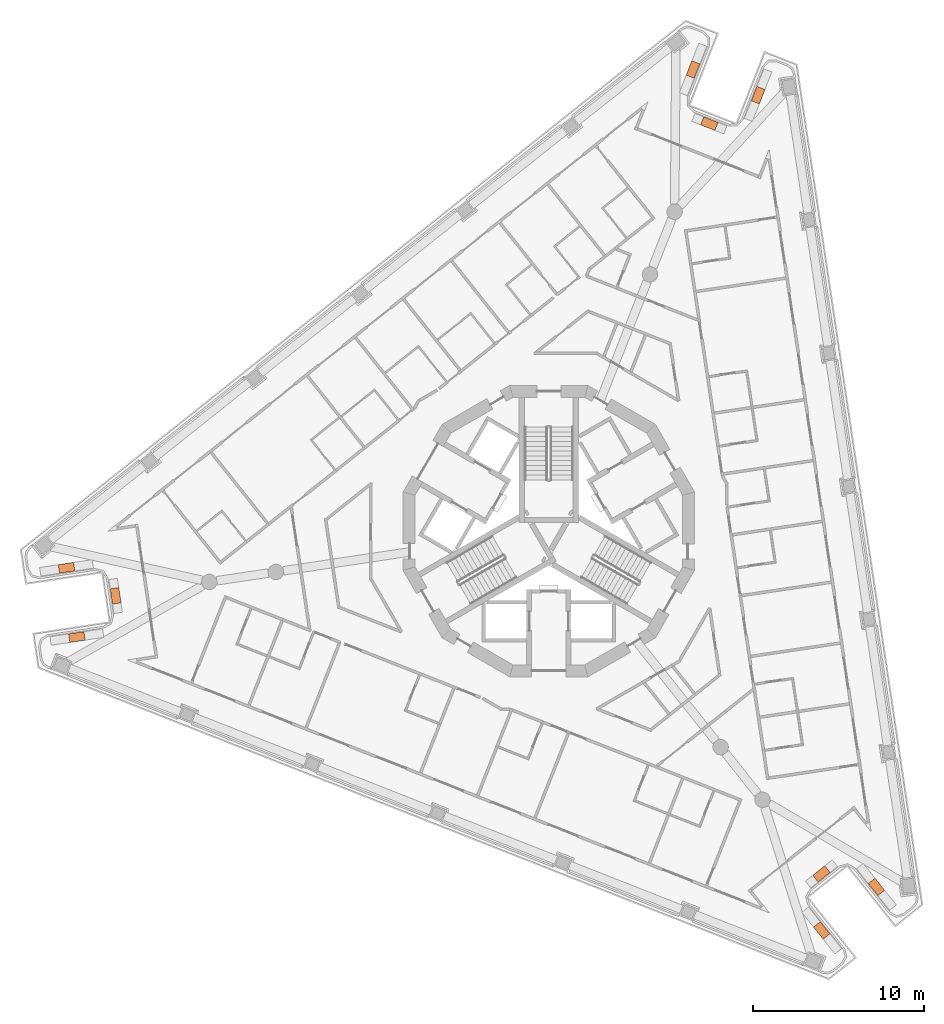
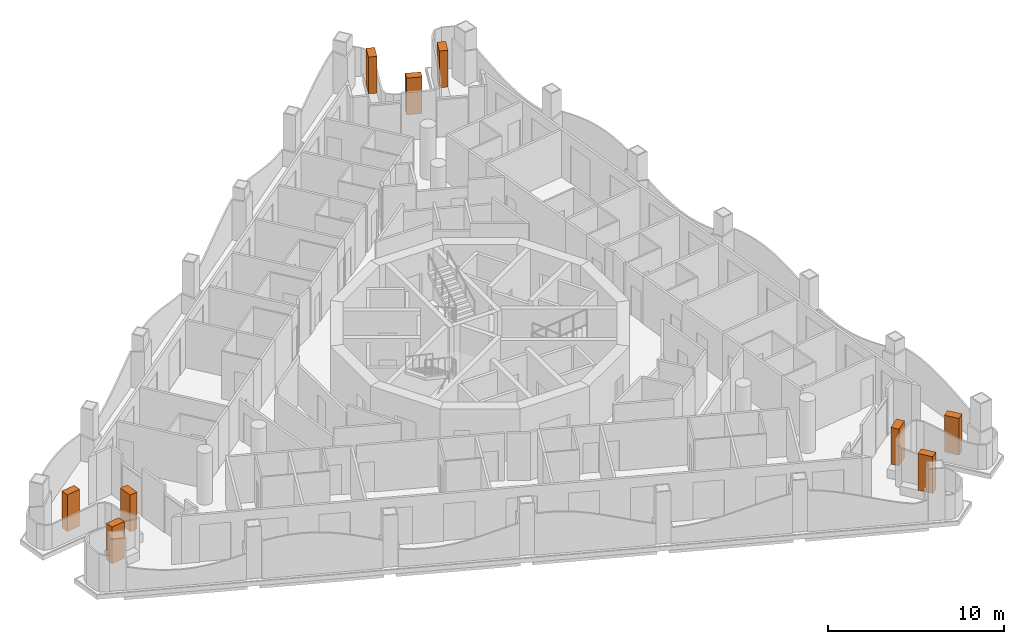
# One storey, part 17 of 17: 9 geographic elements.
"""IFC4 building model written with IfcOpenShell, lengths in metres."""

import ifcopenshell
import ifcopenshell.guid

model = None  # the IFC model being written
_history = None  # IfcOwnerHistory: only IFC2X3 demands one
_inside = {}  # id of a spatial element -> (the spatial element, [elements in it])
_under = {}  # id of a project, library or spatial element -> (it, [spatial elements below it])
_declared = {}  # id of a project -> (the project, [libraries it declares])
_typed = {}  # id of a type object -> (the type object, [elements of that type])
_made_of = {}  # id of a material, layer set ... -> (it, [elements and type objects made of it])


def new_model(schema):
    """Start an empty IFC model of exactly this schema.

    Asked for "IFC4X3", IfcOpenShell would pick the latest addendum, in which some entities
    have other attributes; the version numbers below select the first issue.
    IFC2X3 requires an IfcOwnerHistory on every rooted entity: one is made here for all.
    """
    global model, _history
    if schema == "IFC4X3":
        model = ifcopenshell.file(schema_version=(4, 3, 0, 0))
    else:
        model = ifcopenshell.file(schema=schema)
    _inside.clear()
    _under.clear()
    _declared.clear()
    _typed.clear()
    _made_of.clear()
    _history = None
    if model.schema == "IFC2X3":
        org = make("IfcOrganization", Name="unknown")
        user = make(
            "IfcPersonAndOrganization",
            ThePerson=make("IfcPerson", FamilyName="unknown"),
            TheOrganization=org,
        )
        app = make(
            "IfcApplication",
            ApplicationDeveloper=org,
            Version="unknown",
            ApplicationFullName="unknown",
            ApplicationIdentifier="unknown",
        )
        _history = make(
            "IfcOwnerHistory",
            OwningUser=user,
            OwningApplication=app,
            ChangeAction="ADDED",
            CreationDate=0,
        )
    return model


def make(cls, **values):
    """One entity of the class cls with the attributes given. An attribute that is None is left unset."""
    return model.create_entity(
        cls, **{name: value for name, value in values.items() if value is not None}
    )


def rooted(cls, **values):
    """An entity with a GlobalId (a new one), such as an element, a storey or a relation."""
    return make(cls, GlobalId=ifcopenshell.guid.new(), OwnerHistory=_history, **values)


def si_unit(unit_type, name, prefix=None):
    """IfcSIUnit, for example si_unit("LENGTHUNIT", "METRE", prefix="MILLI")."""
    return make("IfcSIUnit", UnitType=unit_type, Prefix=prefix, Name=name)


def assignment(units):
    """IfcUnitAssignment: the units of a project."""
    return None if units is None else make("IfcUnitAssignment", Units=units)


def point(xyz):
    """IfcCartesianPoint."""
    return None if xyz is None else make("IfcCartesianPoint", Coordinates=xyz)


def direction(xyz):
    """IfcDirection."""
    return None if xyz is None else make("IfcDirection", DirectionRatios=xyz)


def frame(location, z_axis=None, x_axis=None):
    """IfcAxis2Placement3D, a coordinate frame: its origin and axes. An axis left out is left unset."""
    return make(
        "IfcAxis2Placement3D",
        Location=point(location),
        Axis=direction(z_axis),
        RefDirection=direction(x_axis),
    )


def frame_2d(location, x_axis=None):
    """IfcAxis2Placement2D, a coordinate frame in the plane: its origin and x axis."""
    return make(
        "IfcAxis2Placement2D", Location=point(location), RefDirection=direction(x_axis)
    )


def origin():
    """The frame at (0, 0, 0) with its axes left unset."""
    return frame((0.0, 0.0, 0.0))


def origin_2d():
    """The frame at (0, 0) in the plane with its x axis left unset."""
    return frame_2d((0.0, 0.0))


def place(relative_to, where):
    """IfcLocalPlacement: puts the frame where relative to a parent placement (None: the world)."""
    return make(
        "IfcLocalPlacement", PlacementRelTo=relative_to, RelativePlacement=where
    )


def context(
    kind, dimensions, precision=None, world=None, true_north=None, identifier=None
):
    """IfcGeometricRepresentationContext, for example the 3D "Model" context."""
    return make(
        "IfcGeometricRepresentationContext",
        ContextIdentifier=identifier,
        ContextType=kind,
        CoordinateSpaceDimension=dimensions,
        Precision=precision,
        WorldCoordinateSystem=world,
        TrueNorth=true_north,
    )


def subcontext(parent, identifier, kind, view, scale=None):
    """IfcGeometricRepresentationSubContext, for example "Body" below "Model"."""
    return make(
        "IfcGeometricRepresentationSubContext",
        ContextIdentifier=identifier,
        ContextType=kind,
        ParentContext=parent,
        TargetScale=scale,
        TargetView=view,
    )


def project(units=None, contexts=None):
    """IfcProject with its units and contexts."""
    return rooted(
        "IfcProject",
        Name="project",
        RepresentationContexts=contexts,
        UnitsInContext=assignment(units),
    )


def spatial(cls, under=None, at=None, **own):
    """A site, building, storey or space (cls), placed at a placement, below another one or the project."""
    s = rooted(cls, ObjectPlacement=at, **own)
    if under is not None:
        _under.setdefault(under.id(), (under, []))[1].append(s)
    return s


def profile(cls, at=None, kind="AREA", **sizes):
    """A parametric profile (cls). Its sizes go by their IFC names, for example OverallWidth=200.0."""
    return make(cls, ProfileType=kind, Position=at, **sizes)


def rectangle(**sizes):
    """IfcRectangleProfileDef."""
    return profile("IfcRectangleProfileDef", **sizes)


def extrude(swept, where, along, depth):
    """IfcExtrudedAreaSolid: the profile swept, set in the frame where, extruded along a direction by depth."""
    return make(
        "IfcExtrudedAreaSolid",
        SweptArea=swept,
        Position=where,
        ExtrudedDirection=direction(along),
        Depth=depth,
    )


def shape(context_of_items, identifier, shape_type, items):
    """IfcShapeRepresentation: the items that make up one representation, for example the "Body"."""
    return make(
        "IfcShapeRepresentation",
        ContextOfItems=context_of_items,
        RepresentationIdentifier=identifier,
        RepresentationType=shape_type,
        Items=items,
    )


def made_of(thing, what):
    """Note that an element or type object is made of a material, layer set ...; save() writes the relation."""
    if what is not None:
        _made_of.setdefault(what.id(), (what, []))[1].append(thing)
    return thing


def element(
    cls,
    number,
    at=None,
    inside=None,
    cuts=None,
    type_object=None,
    material=None,
    context=None,
    identifier="Body",
    shape_type=None,
    held_by="IfcProductDefinitionShape",
    body=None,
    shapes=None,
    **own,
):
    """One element of the class cls, such as IfcWall. Its Tag is "e" and its number.

    at: its placement. inside: the storey or other place that contains it. cuts: it is an
    opening in that element (IfcRelVoidsElement). A single representation is given by context,
    identifier, shape_type and body (its items); several are given by shapes. held_by: the class
    of the entity that holds the representations. save() writes the other relations.
    """
    e = rooted(cls, Tag="e%d" % number, ObjectPlacement=at, **own)
    if body is not None:
        shapes = [shape(context, identifier, shape_type, body)]
    if shapes is not None:
        e.Representation = make(held_by, Representations=shapes)
    if inside is not None:
        _inside.setdefault(inside.id(), (inside, []))[1].append(e)
    if cuts is not None:
        rooted(
            "IfcRelVoidsElement", RelatingBuildingElement=cuts, RelatedOpeningElement=e
        )
    if type_object is not None:
        _typed.setdefault(type_object.id(), (type_object, []))[1].append(e)
    return made_of(e, material)


def aggregate(whole, parts):
    """IfcRelAggregates: a whole, such as a stair, and the parts it consists of."""
    return rooted("IfcRelAggregates", RelatingObject=whole, RelatedObjects=parts)


def save(model, path):
    """Write the relations noted so far, then the file.

    IfcRelAggregates (storeys below a building ...), IfcRelContainedInSpatialStructure (elements
    in a storey), IfcRelDefinesByType, IfcRelAssociatesMaterial and IfcRelDeclares: one each for
    every whole, place, type object, material and project.
    """
    for whole, parts in _under.values():
        aggregate(whole, parts)
    for where, things in _inside.values():
        rooted(
            "IfcRelContainedInSpatialStructure",
            RelatedElements=things,
            RelatingStructure=where,
        )
    for kind, things in _typed.values():
        rooted("IfcRelDefinesByType", RelatedObjects=things, RelatingType=kind)
    for what, things in _made_of.values():
        rooted("IfcRelAssociatesMaterial", RelatedObjects=things, RelatingMaterial=what)
    for by, libraries in _declared.values():
        rooted("IfcRelDeclares", RelatingContext=by, RelatedDefinitions=libraries)
    model.write(path)


model = new_model("IFC4")

# Units and contexts
model_context = context("Model", 3, precision=1e-05, world=origin(), true_north=direction((0.0, 1.0)))
body_context = subcontext(model_context, "Body", "Model", "MODEL_VIEW")
ifc_project = project(units=[si_unit("LENGTHUNIT", "METRE"), si_unit("AREAUNIT", "SQUARE_METRE"), si_unit("VOLUMEUNIT", "CUBIC_METRE"), si_unit("PLANEANGLEUNIT", "RADIAN"), si_unit("MASSUNIT", "GRAM", prefix="KILO")], contexts=[model_context])

# Site, building, storey
site_placement = place(None, origin())
site = spatial("IfcSite", under=ifc_project, at=site_placement, CompositionType="ELEMENT")
building_placement = place(site_placement, origin())
building = spatial("IfcBuilding", under=site, at=building_placement, Name="Trine Commons Tower", CompositionType="ELEMENT")
storey_placement = place(building_placement, frame((0.0, 0.0, 208.800048828125)))
storey = spatial("IfcBuildingStorey", under=building, at=storey_placement, Name="L54", CompositionType="ELEMENT", Elevation=208.800048828125)

# Geographic elements
for number, where, z_axis, x_axis, name in (
    (1, (52.4794921875, 56.324462890625, 0.60009765625), (0.0, 0.0, 1.0), (0.989018700917, 0.147790423361, 0.0), "Tree 1.1"),
    (2, (54.73974609375, 58.724853515625, 0.60009765625), (0.0, 0.0, 1.0), (-0.147812863445, 0.989015347404, 0.0), "Tree 2.1"),
    (3, (51.87646484375, 60.359619140625, 0.60009765625), (0.0, 0.0, 1.0), (-0.989014831433, -0.147816315759, 0.0), "Tree 3.1"),
    (4, (88.412109375, 89.421142578125, 0.60009765625), (0.0, 0.0, 1.0), (-0.366494731175, -0.930420126621, 0.0), "Tree 4.1"),
    (5, (89.360595703125, 86.263671875, 0.60009765625), (0.0, 0.0, 1.0), (0.930416928315, -0.366502850609, 0.0), "Tree 5.1"),
    (6, (92.2080078125, 87.92578125, 0.60009765625), (0.0, 0.0, 1.0), (0.366520713264, 0.930409891794, 0.0), "Tree 6.1"),
    (7, (99.1083984375, 41.75439453125, 0.60009765625), (0.0, 0.0, 1.0), (-0.622516002546, 0.782607070358, 0.0), "Tree 7.1"),
    (8, (95.899658203125, 42.511474609375, 0.60009765625), (0.0, 0.0, 1.0), (-0.782586426516, -0.622541954437, 0.0), "Tree 8.1"),
    (9, (95.915283203125, 39.214599609375, 0.60009765625), (0.0, 0.0, 1.0), (0.622516002546, -0.782607070358, 0.0), "Tree 9.1"),
):
    element("IfcGeographicElement", number, at=place(storey_placement, frame(where, z_axis=z_axis, x_axis=x_axis)), inside=storey, Name=name, ObjectType="TREE Tabebuia rosea", PredefinedType="USERDEFINED", context=body_context, shape_type="SweptSolid", body=[
        extrude(rectangle(XDim=0.89990234375, YDim=0.5, at=origin_2d()), origin(), (0.0, 0.0, 1.0), 2.550048828125),
    ])

save(model, "model.ifc")
